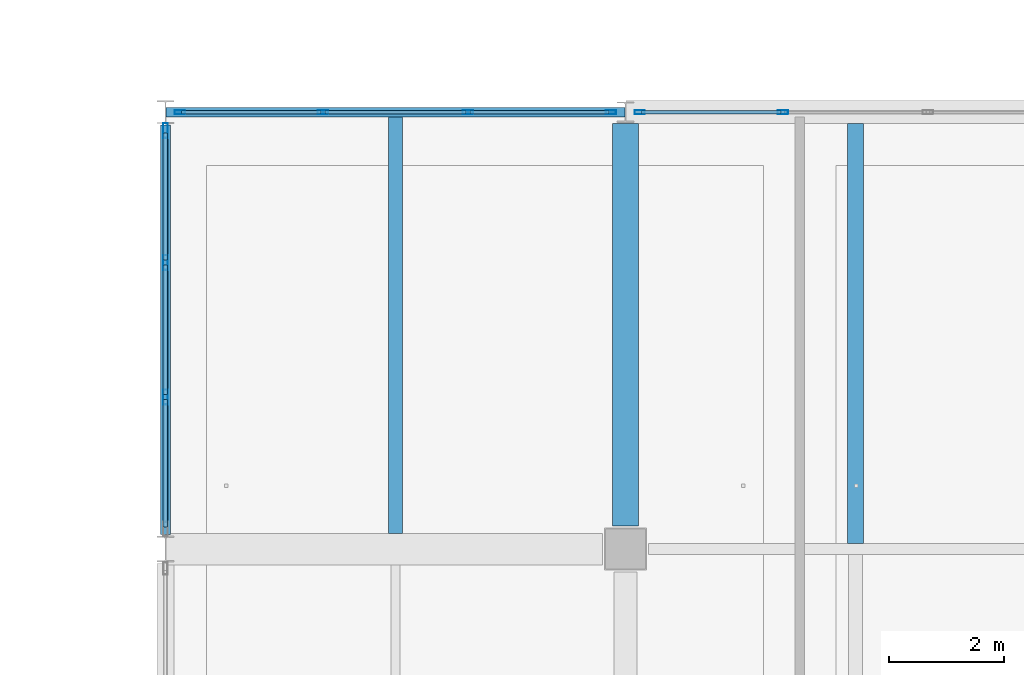
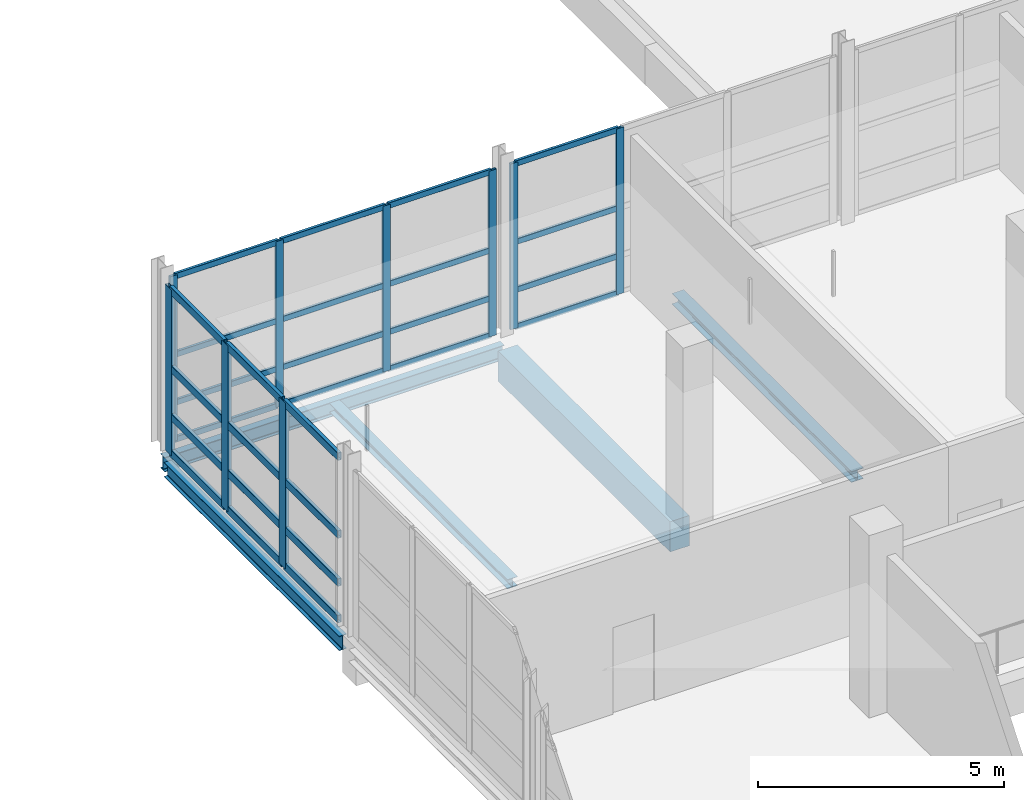
# One storey, part 42 of 107: 37 members, 5 beams, 3 elements without a shape of their own.
"""IFC4 building model written with IfcOpenShell, lengths in metres."""

from ifc_helpers import new_model, si_unit, direction, frame, origin, origin_2d, place, context, subcontext, project, spatial, rectangle, hollow_rectangle, i_section, extrude, material, material_profile, profile_set, type_object, element, aggregate, save


model = new_model("IFC4")

# Units and contexts
model_context = context("Model", 3, precision=1e-05, world=origin(), true_north=direction((0.0, 1.0)))
body_context = subcontext(model_context, "Body", "Model", "MODEL_VIEW")
ifc_project = project(units=[si_unit("LENGTHUNIT", "METRE"), si_unit("AREAUNIT", "SQUARE_METRE"), si_unit("VOLUMEUNIT", "CUBIC_METRE"), si_unit("PLANEANGLEUNIT", "RADIAN"), si_unit("MASSUNIT", "GRAM", prefix="KILO")], contexts=[model_context])

# Site, building, storey
site_placement = place(None, origin())
site = spatial("IfcSite", under=ifc_project, at=site_placement, CompositionType="ELEMENT")
building_placement = place(site_placement, origin())
building = spatial("IfcBuilding", under=site, at=building_placement, Name="Khelvaren Railside Concert Hall", CompositionType="ELEMENT")
storey_placement = place(building_placement, frame((0.0, 0.0, 15.0)))
storey = spatial("IfcBuildingStorey", under=building, at=storey_placement, Name="L03", CompositionType="ELEMENT", Elevation=15.0)

# Beam
ifc_material_1 = material(Name="Concrete C40/50", Category="concrete")
ifc_material_profile_1 = material_profile(ifc_material_1, rectangle(XDim=0.449951171875, YDim=0.75, at=origin_2d()), Name="RCB 450x750")
ifc_profile_set_1 = profile_set([ifc_material_profile_1], Name="Concrete C40/50")
beam_type_1 = type_object("IfcBeamType", Name="BM83", PredefinedType="BEAM", material=ifc_profile_set_1)
beam_1_placement = place(storey_placement, frame((152.0, 30.800048828125, -0.655029296875), z_axis=(0.0, 1.0, 0.0), x_axis=(-1.0, 0.0, 0.0)))
element("IfcBeam", 1, at=beam_1_placement, inside=storey, type_object=beam_type_1, Name="V2 L03 Beam Y2.5", PredefinedType="BEAM", context=body_context, shape_type="SweptSolid", body=[
    extrude(rectangle(XDim=0.449951171875, YDim=0.75, at=origin_2d()), origin(), (0.0, 0.0, 1.0), 7.0),
])

# Curtain wall, members
ifc_material_2 = material(Name="Acoustic laminated crystal facade glass", Category="glass")
curtain_wall_type_1 = type_object("IfcCurtainWallType", Name="CW21", PredefinedType="USERDEFINED", material=ifc_material_2)
curtain_wall_1_placement = place(storey_placement, origin())
curtain_wall_1 = element("IfcCurtainWall", 2, at=curtain_wall_1_placement, inside=storey, type_object=curtain_wall_type_1, Name="Unitised Curtain Wall CW-V2-L03-W-30", ObjectType="UNITISED CURTAIN WALL", PredefinedType="USERDEFINED")
ifc_material_3 = material(Name="Anodised architectural aluminium 6063-T6", Category="aluminium")
ifc_material_profile_2 = material_profile(ifc_material_3, hollow_rectangle(XDim=0.0849609375, YDim=0.260009765625, WallThickness=0.0048828125, InnerFilletRadius=0.0029296875, OuterFilletRadius=0.0048828125, at=origin_2d()), Name="CWM 85x260x5")
ifc_profile_set_2 = profile_set([ifc_material_profile_2], Name="Anodised architectural aluminium 6063-T6")
member_type_1 = type_object("IfcMemberType", Name="CWM40", PredefinedType="MULLION", material=ifc_profile_set_2)
member_1_placement = place(storey_placement, frame((144.0, 33.04248046875, 0.0), z_axis=(0.0, 0.0, 1.0), x_axis=(-1.0, 0.0, 0.0)))
member_1 = element("IfcMember", 3, at=member_1_placement, type_object=member_type_1, Name="CW21 mullion 2", PredefinedType="MULLION", context=body_context, shape_type="SweptSolid", body=[
    extrude(hollow_rectangle(XDim=0.0849609375, YDim=0.260009765625, WallThickness=0.0048828125, InnerFilletRadius=0.0029296875, OuterFilletRadius=0.0048828125, at=origin_2d()), origin(), (0.0, 0.0, 1.0), 4.1201171875),
])
member_2_placement = place(storey_placement, frame((144.0, 35.382568359375, 0.0), z_axis=(0.0, 0.0, 1.0), x_axis=(-1.0, 0.0, 0.0)))
member_2 = element("IfcMember", 4, at=member_2_placement, type_object=member_type_1, Name="CW21 mullion 3", PredefinedType="MULLION", context=body_context, shape_type="SweptSolid", body=[
    extrude(hollow_rectangle(XDim=0.0849609375, YDim=0.260009765625, WallThickness=0.0048828125, InnerFilletRadius=0.0029296875, OuterFilletRadius=0.0048828125, at=origin_2d()), origin(), (0.0, 0.0, 1.0), 4.1201171875),
])
member_3_placement = place(storey_placement, frame((144.0, 37.679931640625, 0.0), z_axis=(0.0, 0.0, 1.0), x_axis=(-1.0, 0.0, 0.0)))
member_3 = element("IfcMember", 5, at=member_3_placement, type_object=member_type_1, Name="CW21 mullion 4", PredefinedType="MULLION", context=body_context, shape_type="SweptSolid", body=[
    extrude(hollow_rectangle(XDim=0.0849609375, YDim=0.260009765625, WallThickness=0.0048828125, InnerFilletRadius=0.0029296875, OuterFilletRadius=0.0048828125, at=origin_2d()), origin(), (0.0, 0.0, 1.0), 4.1201171875),
])

ifc_material_4 = material(Name="Double-glazed low-E dark acoustic glass", Category="glass")
curtain_wall_type_2 = type_object("IfcCurtainWallType", Name="CW65", PredefinedType="USERDEFINED", material=ifc_material_4)
curtain_wall_2_placement = place(storey_placement, origin())
curtain_wall_2 = element("IfcCurtainWall", 6, at=curtain_wall_2_placement, inside=storey, type_object=curtain_wall_type_2, Name="Unitised Curtain Wall CW-V2-L03-N-144", ObjectType="UNITISED CURTAIN WALL", PredefinedType="USERDEFINED")
ifc_material_profile_3 = material_profile(ifc_material_3, hollow_rectangle(XDim=0.06494140625, YDim=0.179931640625, WallThickness=0.00390625, InnerFilletRadius=0.001953125, OuterFilletRadius=0.00390625, at=origin_2d()), Name="CWM 65x180x4")
ifc_profile_set_3 = profile_set([ifc_material_profile_3], Name="Anodised architectural aluminium 6063-T6")
member_type_2 = type_object("IfcMemberType", Name="CWM63", PredefinedType="MULLION", material=ifc_profile_set_3)
member_4_placement = place(storey_placement, frame((144.25, 38.0, 0.0), z_axis=(0.0, 0.0, 1.0), x_axis=(0.0, 1.0, 0.0)))
member_4 = element("IfcMember", 7, at=member_4_placement, type_object=member_type_2, Name="CW65 mullion 1", PredefinedType="MULLION", context=body_context, shape_type="SweptSolid", body=[
    extrude(hollow_rectangle(XDim=0.06494140625, YDim=0.179931640625, WallThickness=0.00390625, InnerFilletRadius=0.001953125, OuterFilletRadius=0.00390625, at=origin_2d()), origin(), (0.0, 0.0, 1.0), 4.1201171875),
])
member_5_placement = place(storey_placement, frame((146.7392578125, 38.0, 0.0), z_axis=(0.0, 0.0, 1.0), x_axis=(0.0, 1.0, 0.0)))
member_5 = element("IfcMember", 8, at=member_5_placement, type_object=member_type_2, Name="CW65 mullion 2", PredefinedType="MULLION", context=body_context, shape_type="SweptSolid", body=[
    extrude(hollow_rectangle(XDim=0.06494140625, YDim=0.179931640625, WallThickness=0.00390625, InnerFilletRadius=0.001953125, OuterFilletRadius=0.00390625, at=origin_2d()), origin(), (0.0, 0.0, 1.0), 4.1201171875),
])
member_6_placement = place(storey_placement, frame((149.2607421875, 38.0, 0.0), z_axis=(0.0, 0.0, 1.0), x_axis=(0.0, 1.0, 0.0)))
member_6 = element("IfcMember", 9, at=member_6_placement, type_object=member_type_2, Name="CW65 mullion 3", PredefinedType="MULLION", context=body_context, shape_type="SweptSolid", body=[
    extrude(hollow_rectangle(XDim=0.06494140625, YDim=0.179931640625, WallThickness=0.00390625, InnerFilletRadius=0.001953125, OuterFilletRadius=0.00390625, at=origin_2d()), origin(), (0.0, 0.0, 1.0), 4.1201171875),
])
member_7_placement = place(storey_placement, frame((151.75, 38.0, 0.0), z_axis=(0.0, 0.0, 1.0), x_axis=(0.0, 1.0, 0.0)))
member_7 = element("IfcMember", 10, at=member_7_placement, type_object=member_type_2, Name="CW65 mullion 4", PredefinedType="MULLION", context=body_context, shape_type="SweptSolid", body=[
    extrude(hollow_rectangle(XDim=0.06494140625, YDim=0.179931640625, WallThickness=0.00390625, InnerFilletRadius=0.001953125, OuterFilletRadius=0.00390625, at=origin_2d()), origin(), (0.0, 0.0, 1.0), 4.1201171875),
])

curtain_wall_type_3 = type_object("IfcCurtainWallType", Name="CW69", PredefinedType="USERDEFINED", material=ifc_material_4)
curtain_wall_3_placement = place(storey_placement, origin())
curtain_wall_3 = element("IfcCurtainWall", 11, at=curtain_wall_3_placement, inside=storey, type_object=curtain_wall_type_3, Name="Unitised Curtain Wall CW-V2-L03-N-152", ObjectType="UNITISED CURTAIN WALL", PredefinedType="USERDEFINED")
member_8_placement = place(storey_placement, frame((152.25, 38.0, 0.0), z_axis=(0.0, 0.0, 1.0), x_axis=(0.0, 1.0, 0.0)))
member_8 = element("IfcMember", 12, at=member_8_placement, type_object=member_type_2, Name="CW69 mullion 1", PredefinedType="MULLION", context=body_context, shape_type="SweptSolid", body=[
    extrude(hollow_rectangle(XDim=0.06494140625, YDim=0.179931640625, WallThickness=0.00390625, InnerFilletRadius=0.001953125, OuterFilletRadius=0.00390625, at=origin_2d()), origin(), (0.0, 0.0, 1.0), 4.1201171875),
])
member_9_placement = place(storey_placement, frame((154.7392578125, 38.0, 0.0), z_axis=(0.0, 0.0, 1.0), x_axis=(0.0, 1.0, 0.0)))
member_9 = element("IfcMember", 13, at=member_9_placement, type_object=member_type_2, Name="CW69 mullion 2", PredefinedType="MULLION", context=body_context, shape_type="SweptSolid", body=[
    extrude(hollow_rectangle(XDim=0.06494140625, YDim=0.179931640625, WallThickness=0.00390625, InnerFilletRadius=0.001953125, OuterFilletRadius=0.00390625, at=origin_2d()), origin(), (0.0, 0.0, 1.0), 4.1201171875),
])

# Member
ifc_material_profile_4 = material_profile(ifc_material_3, hollow_rectangle(XDim=0.0849609375, YDim=0.18994140625, WallThickness=0.0048828125, InnerFilletRadius=0.0029296875, OuterFilletRadius=0.0048828125, at=origin_2d()), Name="CWT 85x190x5")
ifc_profile_set_4 = profile_set([ifc_material_profile_4], Name="Anodised architectural aluminium 6063-T6")
member_type_3 = type_object("IfcMemberType", Name="CWT31", PredefinedType="USERDEFINED", material=ifc_profile_set_4)
member_10_placement = place(storey_placement, frame((144.0, 30.78759765625, 0.04248046875), z_axis=(0.0, 1.0, 0.0), x_axis=(-1.0, 0.0, 0.0)))
member_10 = element("IfcMember", 14, at=member_10_placement, type_object=member_type_3, Name="CW21 transom 1.1", ObjectType="TRANSOM", PredefinedType="USERDEFINED", context=body_context, shape_type="SweptSolid", body=[
    extrude(hollow_rectangle(XDim=0.0849609375, YDim=0.18994140625, WallThickness=0.0048828125, InnerFilletRadius=0.0029296875, OuterFilletRadius=0.0048828125, at=origin_2d()), origin(), (0.0, 0.0, 1.0), 2.21240234375),
])

member_11_placement = place(storey_placement, frame((144.0, 30.78759765625, 0.949951171875), z_axis=(0.0, 1.0, 0.0), x_axis=(-1.0, 0.0, 0.0)))
member_11 = element("IfcMember", 15, at=member_11_placement, type_object=member_type_3, Name="CW21 transom 1.2", ObjectType="TRANSOM", PredefinedType="USERDEFINED", context=body_context, shape_type="SweptSolid", body=[
    extrude(hollow_rectangle(XDim=0.0849609375, YDim=0.18994140625, WallThickness=0.0048828125, InnerFilletRadius=0.0029296875, OuterFilletRadius=0.0048828125, at=origin_2d()), origin(), (0.0, 0.0, 1.0), 2.21240234375),
])

member_12_placement = place(storey_placement, frame((144.0, 30.78759765625, 2.142333984375), z_axis=(0.0, 1.0, 0.0), x_axis=(-1.0, 0.0, 0.0)))
member_12 = element("IfcMember", 16, at=member_12_placement, type_object=member_type_3, Name="CW21 transom 1.3", ObjectType="TRANSOM", PredefinedType="USERDEFINED", context=body_context, shape_type="SweptSolid", body=[
    extrude(hollow_rectangle(XDim=0.0849609375, YDim=0.18994140625, WallThickness=0.0048828125, InnerFilletRadius=0.0029296875, OuterFilletRadius=0.0048828125, at=origin_2d()), origin(), (0.0, 0.0, 1.0), 2.21240234375),
])

member_13_placement = place(storey_placement, frame((144.0, 30.78759765625, 4.077392578125), z_axis=(0.0, 1.0, 0.0), x_axis=(-1.0, 0.0, 0.0)))
member_13 = element("IfcMember", 17, at=member_13_placement, type_object=member_type_3, Name="CW21 transom 1.4", ObjectType="TRANSOM", PredefinedType="USERDEFINED", context=body_context, shape_type="SweptSolid", body=[
    extrude(hollow_rectangle(XDim=0.0849609375, YDim=0.18994140625, WallThickness=0.0048828125, InnerFilletRadius=0.0029296875, OuterFilletRadius=0.0048828125, at=origin_2d()), origin(), (0.0, 0.0, 1.0), 2.21240234375),
])

member_14_placement = place(storey_placement, frame((144.0, 33.0849609375, 0.04248046875), z_axis=(0.0, 1.0, 0.0), x_axis=(-1.0, 0.0, 0.0)))
member_14 = element("IfcMember", 18, at=member_14_placement, type_object=member_type_3, Name="CW21 transom 2.1", ObjectType="TRANSOM", PredefinedType="USERDEFINED", context=body_context, shape_type="SweptSolid", body=[
    extrude(hollow_rectangle(XDim=0.0849609375, YDim=0.18994140625, WallThickness=0.0048828125, InnerFilletRadius=0.0029296875, OuterFilletRadius=0.0048828125, at=origin_2d()), origin(), (0.0, 0.0, 1.0), 2.255126953125),
])

member_15_placement = place(storey_placement, frame((144.0, 33.0849609375, 0.949951171875), z_axis=(0.0, 1.0, 0.0), x_axis=(-1.0, 0.0, 0.0)))
member_15 = element("IfcMember", 19, at=member_15_placement, type_object=member_type_3, Name="CW21 transom 2.2", ObjectType="TRANSOM", PredefinedType="USERDEFINED", context=body_context, shape_type="SweptSolid", body=[
    extrude(hollow_rectangle(XDim=0.0849609375, YDim=0.18994140625, WallThickness=0.0048828125, InnerFilletRadius=0.0029296875, OuterFilletRadius=0.0048828125, at=origin_2d()), origin(), (0.0, 0.0, 1.0), 2.255126953125),
])

member_16_placement = place(storey_placement, frame((144.0, 33.0849609375, 2.142333984375), z_axis=(0.0, 1.0, 0.0), x_axis=(-1.0, 0.0, 0.0)))
member_16 = element("IfcMember", 20, at=member_16_placement, type_object=member_type_3, Name="CW21 transom 2.3", ObjectType="TRANSOM", PredefinedType="USERDEFINED", context=body_context, shape_type="SweptSolid", body=[
    extrude(hollow_rectangle(XDim=0.0849609375, YDim=0.18994140625, WallThickness=0.0048828125, InnerFilletRadius=0.0029296875, OuterFilletRadius=0.0048828125, at=origin_2d()), origin(), (0.0, 0.0, 1.0), 2.255126953125),
])

member_17_placement = place(storey_placement, frame((144.0, 33.0849609375, 4.077392578125), z_axis=(0.0, 1.0, 0.0), x_axis=(-1.0, 0.0, 0.0)))
member_17 = element("IfcMember", 21, at=member_17_placement, type_object=member_type_3, Name="CW21 transom 2.4", ObjectType="TRANSOM", PredefinedType="USERDEFINED", context=body_context, shape_type="SweptSolid", body=[
    extrude(hollow_rectangle(XDim=0.0849609375, YDim=0.18994140625, WallThickness=0.0048828125, InnerFilletRadius=0.0029296875, OuterFilletRadius=0.0048828125, at=origin_2d()), origin(), (0.0, 0.0, 1.0), 2.255126953125),
])

member_18_placement = place(storey_placement, frame((144.0, 35.425048828125, 0.04248046875), z_axis=(0.0, 1.0, 0.0), x_axis=(-1.0, 0.0, 0.0)))
member_18 = element("IfcMember", 22, at=member_18_placement, type_object=member_type_3, Name="CW21 transom 3.1", ObjectType="TRANSOM", PredefinedType="USERDEFINED", context=body_context, shape_type="SweptSolid", body=[
    extrude(hollow_rectangle(XDim=0.0849609375, YDim=0.18994140625, WallThickness=0.0048828125, InnerFilletRadius=0.0029296875, OuterFilletRadius=0.0048828125, at=origin_2d()), origin(), (0.0, 0.0, 1.0), 2.21240234375),
])

member_19_placement = place(storey_placement, frame((144.0, 35.425048828125, 0.949951171875), z_axis=(0.0, 1.0, 0.0), x_axis=(-1.0, 0.0, 0.0)))
member_19 = element("IfcMember", 23, at=member_19_placement, type_object=member_type_3, Name="CW21 transom 3.2", ObjectType="TRANSOM", PredefinedType="USERDEFINED", context=body_context, shape_type="SweptSolid", body=[
    extrude(hollow_rectangle(XDim=0.0849609375, YDim=0.18994140625, WallThickness=0.0048828125, InnerFilletRadius=0.0029296875, OuterFilletRadius=0.0048828125, at=origin_2d()), origin(), (0.0, 0.0, 1.0), 2.21240234375),
])

member_20_placement = place(storey_placement, frame((144.0, 35.425048828125, 2.142333984375), z_axis=(0.0, 1.0, 0.0), x_axis=(-1.0, 0.0, 0.0)))
member_20 = element("IfcMember", 24, at=member_20_placement, type_object=member_type_3, Name="CW21 transom 3.3", ObjectType="TRANSOM", PredefinedType="USERDEFINED", context=body_context, shape_type="SweptSolid", body=[
    extrude(hollow_rectangle(XDim=0.0849609375, YDim=0.18994140625, WallThickness=0.0048828125, InnerFilletRadius=0.0029296875, OuterFilletRadius=0.0048828125, at=origin_2d()), origin(), (0.0, 0.0, 1.0), 2.21240234375),
])

member_21_placement = place(storey_placement, frame((144.0, 35.425048828125, 4.077392578125), z_axis=(0.0, 1.0, 0.0), x_axis=(-1.0, 0.0, 0.0)))
member_21 = element("IfcMember", 25, at=member_21_placement, type_object=member_type_3, Name="CW21 transom 3.4", ObjectType="TRANSOM", PredefinedType="USERDEFINED", context=body_context, shape_type="SweptSolid", body=[
    extrude(hollow_rectangle(XDim=0.0849609375, YDim=0.18994140625, WallThickness=0.0048828125, InnerFilletRadius=0.0029296875, OuterFilletRadius=0.0048828125, at=origin_2d()), origin(), (0.0, 0.0, 1.0), 2.21240234375),
])

aggregate(curtain_wall_1, [member_1, member_2, member_3, member_10, member_11, member_12, member_13, member_14, member_15, member_16, member_17, member_18, member_19, member_20, member_21])

ifc_material_profile_5 = material_profile(ifc_material_3, hollow_rectangle(XDim=0.06494140625, YDim=0.139892578125, WallThickness=0.00390625, InnerFilletRadius=0.001953125, OuterFilletRadius=0.00390625, at=origin_2d()), Name="CWT 65x140x4")
ifc_profile_set_5 = profile_set([ifc_material_profile_5], Name="Anodised architectural aluminium 6063-T6")
member_type_4 = type_object("IfcMemberType", Name="CWT72", PredefinedType="USERDEFINED", material=ifc_profile_set_5)
member_22_placement = place(storey_placement, frame((144.282470703125, 38.0, 0.032470703125), z_axis=(1.0, 0.0, 0.0), x_axis=(0.0, 1.0, 0.0)))
member_22 = element("IfcMember", 26, at=member_22_placement, type_object=member_type_4, Name="CW65 transom 1.1", ObjectType="TRANSOM", PredefinedType="USERDEFINED", context=body_context, shape_type="SweptSolid", body=[
    extrude(hollow_rectangle(XDim=0.06494140625, YDim=0.139892578125, WallThickness=0.00390625, InnerFilletRadius=0.001953125, OuterFilletRadius=0.00390625, at=origin_2d()), origin(), (0.0, 0.0, 1.0), 2.42431640625),
])

member_23_placement = place(storey_placement, frame((144.282470703125, 38.0, 0.949951171875), z_axis=(1.0, 0.0, 0.0), x_axis=(0.0, 1.0, 0.0)))
member_23 = element("IfcMember", 27, at=member_23_placement, type_object=member_type_4, Name="CW65 transom 1.2", ObjectType="TRANSOM", PredefinedType="USERDEFINED", context=body_context, shape_type="SweptSolid", body=[
    extrude(hollow_rectangle(XDim=0.06494140625, YDim=0.139892578125, WallThickness=0.00390625, InnerFilletRadius=0.001953125, OuterFilletRadius=0.00390625, at=origin_2d()), origin(), (0.0, 0.0, 1.0), 2.42431640625),
])

member_24_placement = place(storey_placement, frame((144.282470703125, 38.0, 2.142333984375), z_axis=(1.0, 0.0, 0.0), x_axis=(0.0, 1.0, 0.0)))
member_24 = element("IfcMember", 28, at=member_24_placement, type_object=member_type_4, Name="CW65 transom 1.3", ObjectType="TRANSOM", PredefinedType="USERDEFINED", context=body_context, shape_type="SweptSolid", body=[
    extrude(hollow_rectangle(XDim=0.06494140625, YDim=0.139892578125, WallThickness=0.00390625, InnerFilletRadius=0.001953125, OuterFilletRadius=0.00390625, at=origin_2d()), origin(), (0.0, 0.0, 1.0), 2.42431640625),
])

member_25_placement = place(storey_placement, frame((144.282470703125, 38.0, 4.08740234375), z_axis=(1.0, 0.0, 0.0), x_axis=(0.0, 1.0, 0.0)))
member_25 = element("IfcMember", 29, at=member_25_placement, type_object=member_type_4, Name="CW65 transom 1.4", ObjectType="TRANSOM", PredefinedType="USERDEFINED", context=body_context, shape_type="SweptSolid", body=[
    extrude(hollow_rectangle(XDim=0.06494140625, YDim=0.139892578125, WallThickness=0.00390625, InnerFilletRadius=0.001953125, OuterFilletRadius=0.00390625, at=origin_2d()), origin(), (0.0, 0.0, 1.0), 2.42431640625),
])

member_26_placement = place(storey_placement, frame((146.771728515625, 38.0, 0.032470703125), z_axis=(1.0, 0.0, 0.0), x_axis=(0.0, 1.0, 0.0)))
member_26 = element("IfcMember", 30, at=member_26_placement, type_object=member_type_4, Name="CW65 transom 2.1", ObjectType="TRANSOM", PredefinedType="USERDEFINED", context=body_context, shape_type="SweptSolid", body=[
    extrude(hollow_rectangle(XDim=0.06494140625, YDim=0.139892578125, WallThickness=0.00390625, InnerFilletRadius=0.001953125, OuterFilletRadius=0.00390625, at=origin_2d()), origin(), (0.0, 0.0, 1.0), 2.45654296875),
])

member_27_placement = place(storey_placement, frame((146.771728515625, 38.0, 0.949951171875), z_axis=(1.0, 0.0, 0.0), x_axis=(0.0, 1.0, 0.0)))
member_27 = element("IfcMember", 31, at=member_27_placement, type_object=member_type_4, Name="CW65 transom 2.2", ObjectType="TRANSOM", PredefinedType="USERDEFINED", context=body_context, shape_type="SweptSolid", body=[
    extrude(hollow_rectangle(XDim=0.06494140625, YDim=0.139892578125, WallThickness=0.00390625, InnerFilletRadius=0.001953125, OuterFilletRadius=0.00390625, at=origin_2d()), origin(), (0.0, 0.0, 1.0), 2.45654296875),
])

member_28_placement = place(storey_placement, frame((146.771728515625, 38.0, 2.142333984375), z_axis=(1.0, 0.0, 0.0), x_axis=(0.0, 1.0, 0.0)))
member_28 = element("IfcMember", 32, at=member_28_placement, type_object=member_type_4, Name="CW65 transom 2.3", ObjectType="TRANSOM", PredefinedType="USERDEFINED", context=body_context, shape_type="SweptSolid", body=[
    extrude(hollow_rectangle(XDim=0.06494140625, YDim=0.139892578125, WallThickness=0.00390625, InnerFilletRadius=0.001953125, OuterFilletRadius=0.00390625, at=origin_2d()), origin(), (0.0, 0.0, 1.0), 2.45654296875),
])

member_29_placement = place(storey_placement, frame((146.771728515625, 38.0, 4.08740234375), z_axis=(1.0, 0.0, 0.0), x_axis=(0.0, 1.0, 0.0)))
member_29 = element("IfcMember", 33, at=member_29_placement, type_object=member_type_4, Name="CW65 transom 2.4", ObjectType="TRANSOM", PredefinedType="USERDEFINED", context=body_context, shape_type="SweptSolid", body=[
    extrude(hollow_rectangle(XDim=0.06494140625, YDim=0.139892578125, WallThickness=0.00390625, InnerFilletRadius=0.001953125, OuterFilletRadius=0.00390625, at=origin_2d()), origin(), (0.0, 0.0, 1.0), 2.45654296875),
])

member_30_placement = place(storey_placement, frame((149.293212890625, 38.0, 0.032470703125), z_axis=(1.0, 0.0, 0.0), x_axis=(0.0, 1.0, 0.0)))
member_30 = element("IfcMember", 34, at=member_30_placement, type_object=member_type_4, Name="CW65 transom 3.1", ObjectType="TRANSOM", PredefinedType="USERDEFINED", context=body_context, shape_type="SweptSolid", body=[
    extrude(hollow_rectangle(XDim=0.06494140625, YDim=0.139892578125, WallThickness=0.00390625, InnerFilletRadius=0.001953125, OuterFilletRadius=0.00390625, at=origin_2d()), origin(), (0.0, 0.0, 1.0), 2.42431640625),
])

member_31_placement = place(storey_placement, frame((149.293212890625, 38.0, 0.949951171875), z_axis=(1.0, 0.0, 0.0), x_axis=(0.0, 1.0, 0.0)))
member_31 = element("IfcMember", 35, at=member_31_placement, type_object=member_type_4, Name="CW65 transom 3.2", ObjectType="TRANSOM", PredefinedType="USERDEFINED", context=body_context, shape_type="SweptSolid", body=[
    extrude(hollow_rectangle(XDim=0.06494140625, YDim=0.139892578125, WallThickness=0.00390625, InnerFilletRadius=0.001953125, OuterFilletRadius=0.00390625, at=origin_2d()), origin(), (0.0, 0.0, 1.0), 2.42431640625),
])

member_32_placement = place(storey_placement, frame((149.293212890625, 38.0, 2.142333984375), z_axis=(1.0, 0.0, 0.0), x_axis=(0.0, 1.0, 0.0)))
member_32 = element("IfcMember", 36, at=member_32_placement, type_object=member_type_4, Name="CW65 transom 3.3", ObjectType="TRANSOM", PredefinedType="USERDEFINED", context=body_context, shape_type="SweptSolid", body=[
    extrude(hollow_rectangle(XDim=0.06494140625, YDim=0.139892578125, WallThickness=0.00390625, InnerFilletRadius=0.001953125, OuterFilletRadius=0.00390625, at=origin_2d()), origin(), (0.0, 0.0, 1.0), 2.42431640625),
])

member_33_placement = place(storey_placement, frame((149.293212890625, 38.0, 4.08740234375), z_axis=(1.0, 0.0, 0.0), x_axis=(0.0, 1.0, 0.0)))
member_33 = element("IfcMember", 37, at=member_33_placement, type_object=member_type_4, Name="CW65 transom 3.4", ObjectType="TRANSOM", PredefinedType="USERDEFINED", context=body_context, shape_type="SweptSolid", body=[
    extrude(hollow_rectangle(XDim=0.06494140625, YDim=0.139892578125, WallThickness=0.00390625, InnerFilletRadius=0.001953125, OuterFilletRadius=0.00390625, at=origin_2d()), origin(), (0.0, 0.0, 1.0), 2.42431640625),
])

aggregate(curtain_wall_2, [member_4, member_5, member_6, member_7, member_22, member_23, member_24, member_25, member_26, member_27, member_28, member_29, member_30, member_31, member_32, member_33])

member_34_placement = place(storey_placement, frame((152.282470703125, 38.0, 0.032470703125), z_axis=(1.0, 0.0, 0.0), x_axis=(0.0, 1.0, 0.0)))
member_34 = element("IfcMember", 38, at=member_34_placement, type_object=member_type_4, Name="CW69 transom 1.1", ObjectType="TRANSOM", PredefinedType="USERDEFINED", context=body_context, shape_type="SweptSolid", body=[
    extrude(hollow_rectangle(XDim=0.06494140625, YDim=0.139892578125, WallThickness=0.00390625, InnerFilletRadius=0.001953125, OuterFilletRadius=0.00390625, at=origin_2d()), origin(), (0.0, 0.0, 1.0), 2.42431640625),
])

member_35_placement = place(storey_placement, frame((152.282470703125, 38.0, 0.949951171875), z_axis=(1.0, 0.0, 0.0), x_axis=(0.0, 1.0, 0.0)))
member_35 = element("IfcMember", 39, at=member_35_placement, type_object=member_type_4, Name="CW69 transom 1.2", ObjectType="TRANSOM", PredefinedType="USERDEFINED", context=body_context, shape_type="SweptSolid", body=[
    extrude(hollow_rectangle(XDim=0.06494140625, YDim=0.139892578125, WallThickness=0.00390625, InnerFilletRadius=0.001953125, OuterFilletRadius=0.00390625, at=origin_2d()), origin(), (0.0, 0.0, 1.0), 2.42431640625),
])

member_36_placement = place(storey_placement, frame((152.282470703125, 38.0, 2.142333984375), z_axis=(1.0, 0.0, 0.0), x_axis=(0.0, 1.0, 0.0)))
member_36 = element("IfcMember", 40, at=member_36_placement, type_object=member_type_4, Name="CW69 transom 1.3", ObjectType="TRANSOM", PredefinedType="USERDEFINED", context=body_context, shape_type="SweptSolid", body=[
    extrude(hollow_rectangle(XDim=0.06494140625, YDim=0.139892578125, WallThickness=0.00390625, InnerFilletRadius=0.001953125, OuterFilletRadius=0.00390625, at=origin_2d()), origin(), (0.0, 0.0, 1.0), 2.42431640625),
])

member_37_placement = place(storey_placement, frame((152.282470703125, 38.0, 4.08740234375), z_axis=(1.0, 0.0, 0.0), x_axis=(0.0, 1.0, 0.0)))
member_37 = element("IfcMember", 41, at=member_37_placement, type_object=member_type_4, Name="CW69 transom 1.4", ObjectType="TRANSOM", PredefinedType="USERDEFINED", context=body_context, shape_type="SweptSolid", body=[
    extrude(hollow_rectangle(XDim=0.06494140625, YDim=0.139892578125, WallThickness=0.00390625, InnerFilletRadius=0.001953125, OuterFilletRadius=0.00390625, at=origin_2d()), origin(), (0.0, 0.0, 1.0), 2.42431640625),
])

aggregate(curtain_wall_3, [member_8, member_9, member_34, member_35, member_36, member_37])

# Beams
ifc_material_5 = material(Name="Steel S355", Category="steel")
ifc_material_profile_6 = material_profile(ifc_material_5, i_section(OverallWidth=0.280029296875, OverallDepth=0.27001953125, WebThickness=0.008056640625, FlangeThickness=0.012939453125, FilletRadius=0.02392578125, at=origin_2d()), Name="HEA 280")
ifc_profile_set_6 = profile_set([ifc_material_profile_6], Name="Steel S355")
beam_type_2 = type_object("IfcBeamType", Name="JS46", PredefinedType="JOIST", material=ifc_profile_set_6)
beam_2_placement = place(storey_placement, frame((156.0, 30.4951171875, -0.4150390625), z_axis=(0.0, 1.0, 0.0), x_axis=(-1.0, 0.0, 0.0)))
element("IfcBeam", 42, at=beam_2_placement, inside=storey, type_object=beam_type_2, Name="V2 L03 Secondary Joist 2.5", PredefinedType="JOIST", context=body_context, shape_type="SweptSolid", body=[
    extrude(i_section(OverallWidth=0.280029296875, OverallDepth=0.27001953125, WebThickness=0.008056640625, FlangeThickness=0.012939453125, FilletRadius=0.02392578125, at=origin_2d()), origin(), (0.0, 0.0, 1.0), 7.304931640625),
])
ifc_material_profile_7 = material_profile(ifc_material_5, i_section(OverallWidth=0.239990234375, OverallDepth=0.22998046875, WebThickness=0.007568359375, FlangeThickness=0.011962890625, FilletRadius=0.02099609375, at=origin_2d()), Name="HEA 240")
ifc_profile_set_7 = profile_set([ifc_material_profile_7], Name="Steel S355")
beam_type_3 = type_object("IfcBeamType", Name="JS76", PredefinedType="JOIST", material=ifc_profile_set_7)
beam_3_placement = place(storey_placement, frame((148.0, 30.675048828125, -0.39501953125), z_axis=(0.0, 1.0, 0.0), x_axis=(-1.0, 0.0, 0.0)))
element("IfcBeam", 43, at=beam_3_placement, inside=storey, type_object=beam_type_3, Name="V2 L03 Secondary Joist 1.5", PredefinedType="JOIST", context=body_context, shape_type="SweptSolid", body=[
    extrude(i_section(OverallWidth=0.239990234375, OverallDepth=0.22998046875, WebThickness=0.007568359375, FlangeThickness=0.011962890625, FilletRadius=0.02099609375, at=origin_2d()), origin(), (0.0, 0.0, 1.0), 7.239990234375),
])
ifc_material_profile_8 = material_profile(ifc_material_5, i_section(OverallWidth=0.169921875, OverallDepth=0.360107421875, WebThickness=0.008056640625, FlangeThickness=0.0126953125, FilletRadius=0.01806640625, at=origin_2d()), Name="IPE 360")
ifc_profile_set_8 = profile_set([ifc_material_profile_8], Name="Steel S355")
beam_type_4 = type_object("IfcBeamType", Name="SP74", PredefinedType="SPANDREL", material=ifc_profile_set_8)
beam_4_placement = place(storey_placement, frame((144.010009765625, 38.0, -0.4599609375), z_axis=(1.0, 0.0, 0.0), x_axis=(0.0, 1.0, 0.0)))
element("IfcBeam", 44, at=beam_4_placement, inside=storey, type_object=beam_type_4, Name="V2 L03 Spandrel X6.1", PredefinedType="SPANDREL", context=body_context, shape_type="SweptSolid", body=[
    extrude(i_section(OverallWidth=0.169921875, OverallDepth=0.360107421875, WebThickness=0.008056640625, FlangeThickness=0.0126953125, FilletRadius=0.01806640625, at=origin_2d()), origin(), (0.0, 0.0, 1.0), 7.97998046875),
])
beam_5_placement = place(storey_placement, frame((144.0, 30.64990234375, -0.4599609375), z_axis=(0.0, 1.0, 0.0), x_axis=(-1.0, 0.0, 0.0)))
element("IfcBeam", 45, at=beam_5_placement, inside=storey, type_object=beam_type_4, Name="V2 L03 Spandrel Y1.5", PredefinedType="SPANDREL", context=body_context, shape_type="SweptSolid", body=[
    extrude(i_section(OverallWidth=0.169921875, OverallDepth=0.360107421875, WebThickness=0.008056640625, FlangeThickness=0.0126953125, FilletRadius=0.01806640625, at=origin_2d()), origin(), (0.0, 0.0, 1.0), 7.125),
])

save(model, "model.ifc")
